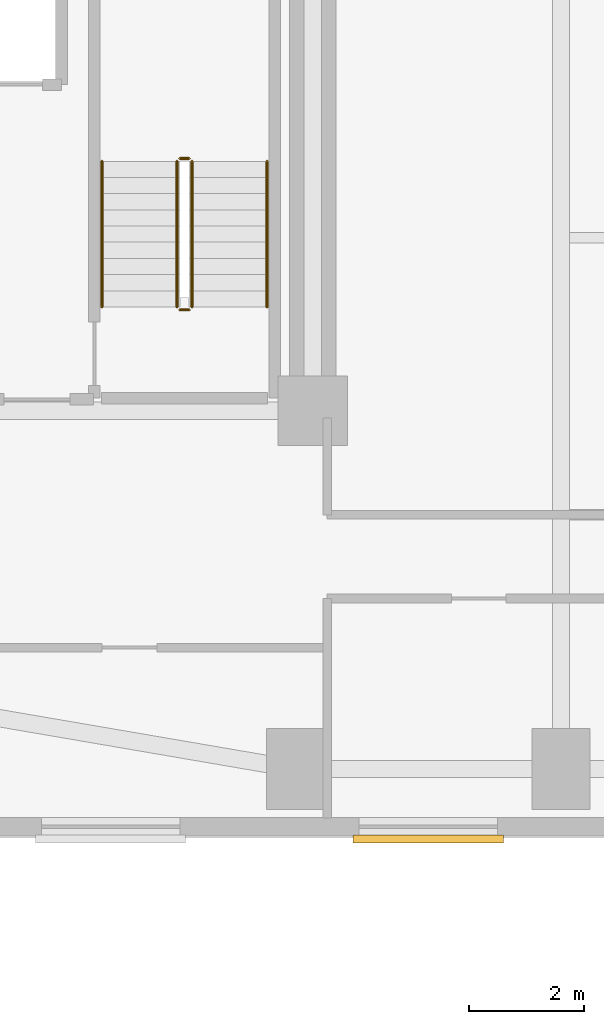
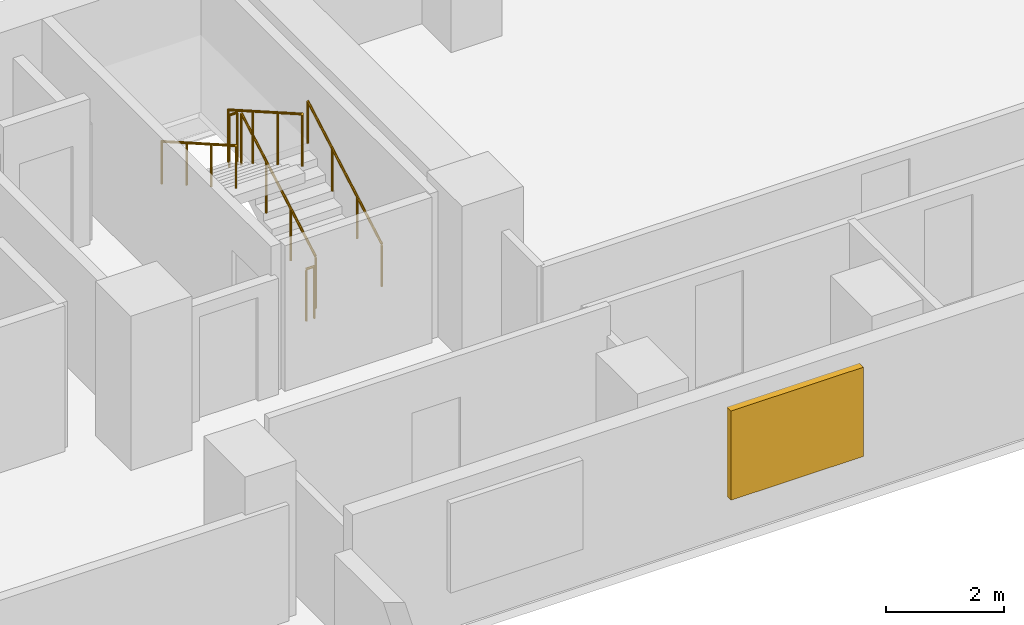
# One storey, part 15 of 17: 6 railings, 1 shading device.
"""IFC4 building model written with IfcOpenShell, lengths in metres."""

from ifc_helpers import new_model, si_unit, direction, frame, origin, origin_2d, place, context, subcontext, project, spatial, rectangle, circle, extrude, material, layer, layer_set, type_object, element, save


model = new_model("IFC4")

# Units and contexts
model_context = context("Model", 3, precision=1e-05, world=origin(), true_north=direction((0.0, 1.0)))
body_context = subcontext(model_context, "Body", "Model", "MODEL_VIEW")
ifc_project = project(units=[si_unit("LENGTHUNIT", "METRE"), si_unit("AREAUNIT", "SQUARE_METRE"), si_unit("VOLUMEUNIT", "CUBIC_METRE"), si_unit("PLANEANGLEUNIT", "RADIAN"), si_unit("MASSUNIT", "GRAM", prefix="KILO")], contexts=[model_context])

# Site, building, storey
site_placement = place(None, origin())
site = spatial("IfcSite", under=ifc_project, at=site_placement, CompositionType="ELEMENT")
building_placement = place(site_placement, origin())
building = spatial("IfcBuilding", under=site, at=building_placement, Name="Kuzgunbayir Cultural Tower", CompositionType="ELEMENT")
storey_placement = place(building_placement, frame((0.0, 0.0, 50.0)))
storey = spatial("IfcBuildingStorey", under=building, at=storey_placement, Name="L13", CompositionType="ELEMENT", Elevation=50.0)

# Railings
ifc_material_1 = material(Name="Brushed Stainless Steel", Category="steel")
ifc_layer_1 = layer(ifc_material_1, 0.050048828125)
ifc_layer_set_1 = layer_set([ifc_layer_1], Name="Brushed Stainless Steel")
railing_type_1 = type_object("IfcRailingType", Name="RLG-STAIR-HANDRAIL", PredefinedType="HANDRAIL", material=ifc_layer_set_1)
railing_1_placement = place(storey_placement, frame((26.110107421875, 35.60009765625, 0.159912109375)))
element("IfcRailing", 1, at=railing_1_placement, inside=storey, type_object=railing_type_1, Name="L13 ST-2 stair handrail 1", PredefinedType="HANDRAIL", context=body_context, shape_type="SweptSolid", body=[
    extrude(circle(Radius=0.02392578125, at=origin_2d()), frame((0.0, 0.0, 0.8759765625), z_axis=(0.0, 0.868217259934, 0.496184229447), x_axis=(-1.0, 0.0, 0.0)), (0.0, 0.0, 1.0), 2.902587890625),
    extrude(circle(Radius=0.02099609375, at=origin_2d()), origin(), (0.0, 0.0, 1.0), 0.851806640625),
    extrude(circle(Radius=0.02099609375, at=origin_2d()), frame((0.0, 0.840087890625, 0.47998046875)), (0.0, 0.0, 1.0), 0.851806640625),
    extrude(circle(Radius=0.02099609375, at=origin_2d()), frame((0.0, 1.679931640625, 0.960205078125)), (0.0, 0.0, 1.0), 0.851806640625),
    extrude(circle(Radius=0.02099609375, at=origin_2d()), frame((0.0, 2.52001953125, 1.440185546875)), (0.0, 0.0, 1.0), 0.851806640625),
])
railing_2_placement = place(storey_placement, frame((23.25, 38.1201171875, 1.760009765625)))
element("IfcRailing", 2, at=railing_2_placement, inside=storey, type_object=railing_type_1, Name="L13 ST-2 stair handrail 2", PredefinedType="HANDRAIL", context=body_context, shape_type="SweptSolid", body=[
    extrude(circle(Radius=0.02392578125, at=origin_2d()), frame((0.0, 0.0, 0.8759765625), z_axis=(0.0, -0.868253494771, 0.496120820787), x_axis=(1.0, 0.0, 0.0)), (0.0, 0.0, 1.0), 2.90234375),
    extrude(circle(Radius=0.02099609375, at=origin_2d()), origin(), (0.0, 0.0, 1.0), 0.851806640625),
    extrude(circle(Radius=0.02099609375, at=origin_2d()), frame((0.0, -0.840087890625, 0.47998046875)), (0.0, 0.0, 1.0), 0.851806640625),
    extrude(circle(Radius=0.02099609375, at=origin_2d()), frame((0.0, -1.679931640625, 0.9599609375)), (0.0, 0.0, 1.0), 0.851806640625),
    extrude(circle(Radius=0.02099609375, at=origin_2d()), frame((0.0, -2.52001953125, 1.43994140625)), (0.0, 0.0, 1.0), 0.851806640625),
])
ifc_material_2 = material(Name="Painted Steel Balustrade", Category="steel")
ifc_layer_2 = layer(ifc_material_2, 0.06005859375)
ifc_layer_set_2 = layer_set([ifc_layer_2], Name="Painted Steel Balustrade")
railing_type_2 = type_object("IfcRailingType", Name="RLG-WELL-GUARD", PredefinedType="GUARDRAIL", material=ifc_layer_set_2)
railing_3_placement = place(storey_placement, frame((24.81005859375, 35.60009765625, 0.159912109375)))
element("IfcRailing", 3, at=railing_3_placement, inside=storey, type_object=railing_type_2, Name="L13 ST-2 stair guard 1", PredefinedType="GUARDRAIL", context=body_context, shape_type="SweptSolid", body=[
    extrude(circle(Radius=0.02392578125, at=origin_2d()), frame((0.0, 0.0, 1.076171875), z_axis=(0.0, 0.868217259934, 0.496184229447), x_axis=(-1.0, 0.0, 0.0)), (0.0, 0.0, 1.0), 2.902587890625),
    extrude(circle(Radius=0.02099609375, at=origin_2d()), origin(), (0.0, 0.0, 1.0), 1.052001953125),
    extrude(circle(Radius=0.02099609375, at=origin_2d()), frame((0.0, 0.840087890625, 0.47998046875)), (0.0, 0.0, 1.0), 1.052001953125),
    extrude(circle(Radius=0.02099609375, at=origin_2d()), frame((0.0, 1.679931640625, 0.960205078125)), (0.0, 0.0, 1.0), 1.052001953125),
    extrude(circle(Radius=0.02099609375, at=origin_2d()), frame((0.0, 2.52001953125, 1.440185546875)), (0.0, 0.0, 1.0), 1.052001953125),
])
railing_4_placement = place(storey_placement, frame((24.760009765625, 38.169921875, 1.60009765625)))
element("IfcRailing", 4, at=railing_4_placement, inside=storey, type_object=railing_type_2, Name="L13 ST-2 stair guard 2", PredefinedType="GUARDRAIL", context=body_context, shape_type="SweptSolid", body=[
    extrude(circle(Radius=0.02392578125, at=origin_2d()), frame((0.0, 0.0, 1.076171875), z_axis=(-1.0, 0.0, 0.0), x_axis=(0.0, -1.0, 0.0)), (0.0, 0.0, 1.0), 0.159912109375),
    extrude(circle(Radius=0.02099609375, at=origin_2d()), origin(), (0.0, 0.0, 1.0), 1.052001953125),
    extrude(circle(Radius=0.02099609375, at=origin_2d()), frame((-0.159912109375, 0.0, 0.0)), (0.0, 0.0, 1.0), 1.052001953125),
])
railing_5_placement = place(storey_placement, frame((24.550048828125, 38.1201171875, 1.760009765625)))
element("IfcRailing", 5, at=railing_5_placement, inside=storey, type_object=railing_type_2, Name="L13 ST-2 stair guard 3", PredefinedType="GUARDRAIL", context=body_context, shape_type="SweptSolid", body=[
    extrude(circle(Radius=0.02392578125, at=origin_2d()), frame((0.0, 0.0, 1.076171875), z_axis=(0.0, -0.868253494771, 0.496120820787), x_axis=(1.0, 0.0, 0.0)), (0.0, 0.0, 1.0), 2.90234375),
    extrude(circle(Radius=0.02099609375, at=origin_2d()), origin(), (0.0, 0.0, 1.0), 1.052001953125),
    extrude(circle(Radius=0.02099609375, at=origin_2d()), frame((0.0, -0.840087890625, 0.47998046875)), (0.0, 0.0, 1.0), 1.052001953125),
    extrude(circle(Radius=0.02099609375, at=origin_2d()), frame((0.0, -1.679931640625, 0.9599609375)), (0.0, 0.0, 1.0), 1.052001953125),
    extrude(circle(Radius=0.02099609375, at=origin_2d()), frame((0.0, -2.52001953125, 1.43994140625)), (0.0, 0.0, 1.0), 1.052001953125),
])
railing_6_placement = place(storey_placement, frame((24.760009765625, 35.550048828125, 0.0)))
element("IfcRailing", 6, at=railing_6_placement, inside=storey, type_object=railing_type_2, Name="L13 ST-2 stair guard 4", PredefinedType="GUARDRAIL", context=body_context, shape_type="SweptSolid", body=[
    extrude(circle(Radius=0.02392578125, at=origin_2d()), frame((0.0, 0.0, 1.076171875), z_axis=(-1.0, 0.0, 0.0), x_axis=(0.0, -1.0, 0.0)), (0.0, 0.0, 1.0), 0.159912109375),
    extrude(circle(Radius=0.02099609375, at=origin_2d()), origin(), (0.0, 0.0, 1.0), 1.052001953125),
    extrude(circle(Radius=0.02099609375, at=origin_2d()), frame((-0.159912109375, 0.0, 0.0)), (0.0, 0.0, 1.0), 1.052001953125),
])

# Shading device
ifc_material_3 = material(Name="Perforated Bronze-Anodised Aluminium", Category="aluminium")
shading_device_type = type_object("IfcShadingDeviceType", Name="SHD-SOLAR-BRONZE", PredefinedType="JALOUSIE", material=ifc_material_3)
shading_device_placement = place(storey_placement, frame((28.89990234375, 26.389892578125, 0.824951171875), z_axis=(0.0, 0.0, 1.0), x_axis=(1.0, 0.0, 0.0)))
element("IfcShadingDevice", 7, at=shading_device_placement, inside=storey, type_object=shading_device_type, Name="L13 Solar Screen WBS9", PredefinedType="JALOUSIE", context=body_context, shape_type="SweptSolid", body=[
    extrude(rectangle(XDim=2.60009765625, YDim=0.139892578125, at=origin_2d()), origin(), (0.0, 0.0, 1.0), 1.85009765625),
])

save(model, "model.ifc")
